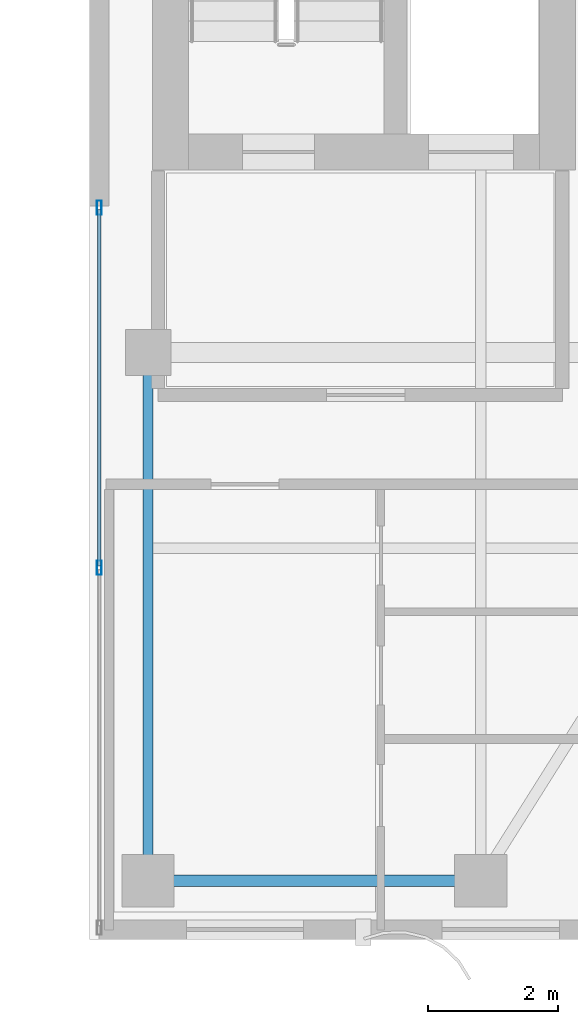
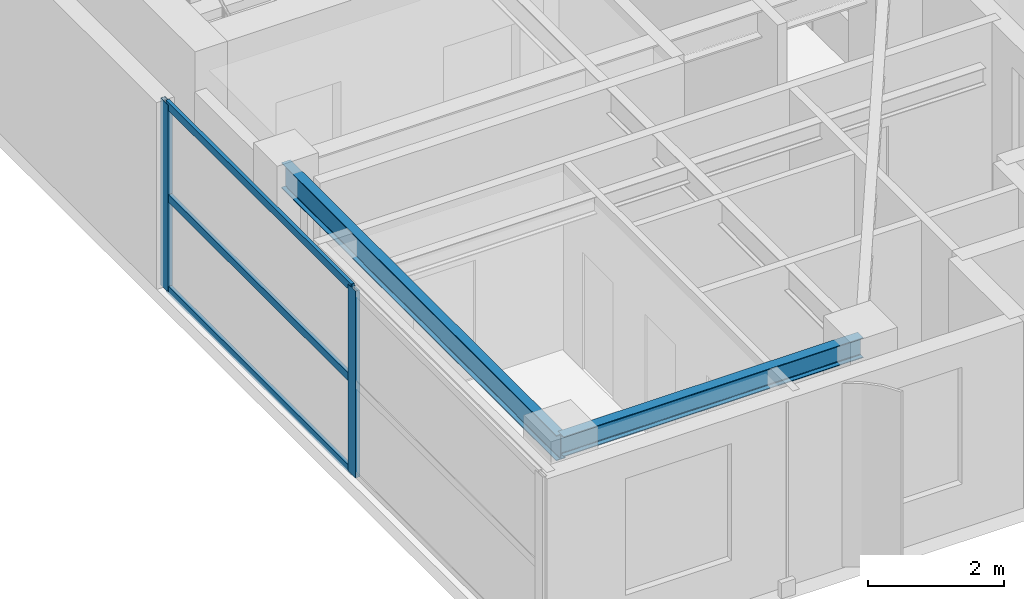
# One storey, part 5 of 24: 5 members, 2 beams, 1 element without a shape of its own.
"""IFC4 building model written with IfcOpenShell, lengths in metres."""

from ifc_helpers import new_model, si_unit, direction, frame, origin, origin_2d, place, context, subcontext, project, spatial, hollow_rectangle, i_section, extrude, source, transform, mapped, material, layer, layer_set, material_profile, profile_set, type_object, element, aggregate, save


model = new_model("IFC4")

# Units and contexts
model_context = context("Model", 3, precision=1e-05, world=origin(), true_north=direction((0.0, 1.0)))
body_context = subcontext(model_context, "Body", "Model", "MODEL_VIEW")
ifc_project = project(units=[si_unit("LENGTHUNIT", "METRE"), si_unit("AREAUNIT", "SQUARE_METRE"), si_unit("VOLUMEUNIT", "CUBIC_METRE"), si_unit("PLANEANGLEUNIT", "RADIAN"), si_unit("MASSUNIT", "GRAM", prefix="KILO")], contexts=[model_context])

# Site, building, storey
site_placement = place(None, origin())
site = spatial("IfcSite", under=ifc_project, at=site_placement, CompositionType="ELEMENT")
building_placement = place(site_placement, origin())
building = spatial("IfcBuilding", under=site, at=building_placement, Name="Khoralis Quay Care Tower", CompositionType="ELEMENT")
storey_placement = place(building_placement, frame((0.0, 0.0, 234.89990234375)))
storey = spatial("IfcBuildingStorey", under=building, at=storey_placement, Name="L61", CompositionType="ELEMENT", Elevation=234.89990234375)

# Beams
ifc_material_1 = material(Name="Steel S355", Category="steel")
ifc_material_profile_1 = material_profile(ifc_material_1, i_section(OverallWidth=0.169921875, OverallDepth=0.360107421875, WebThickness=0.008056640625, FlangeThickness=0.0126953125, FilletRadius=0.01806640625, at=origin_2d()), Name="Steel S355")
ifc_profile_set_1 = profile_set([ifc_material_profile_1], Name="Steel S355")
beam_type_1 = type_object("IfcBeamType", Name="BM-IPE360", PredefinedType="SPANDREL", material=ifc_profile_set_1)
shared_shape_1 = source(origin(), body_context, "Body", "SweptSolid", [
    extrude(i_section(OverallWidth=0.169921875, OverallDepth=0.360107421875, WebThickness=0.008056640625, FlangeThickness=0.0126953125, FilletRadius=0.01806640625, at=origin_2d()), origin(), (0.0, 0.0, 1.0), 5.10009765625),
])
beam_1_placement = place(storey_placement, frame((30.89990234375, 3.89990234375, 3.18017578125), z_axis=(1.0, 0.0, 0.0), x_axis=(0.0, 1.0, 0.0)))
element("IfcBeam", 1, at=beam_1_placement, inside=storey, type_object=beam_type_1, Name="BM-TSP-L61-02", PredefinedType="SPANDREL", context=body_context, shape_type="MappedRepresentation", body=[
    mapped(shared_shape_1, transform((0.0, 0.0, 0.0), scale=1.0)),
])
ifc_material_profile_2 = material_profile(ifc_material_1, i_section(OverallWidth=0.154052734375, OverallDepth=0.458984375, WebThickness=0.009033203125, FlangeThickness=0.015380859375, FilletRadius=0.014892578125, at=origin_2d()), Name="Steel S355")
ifc_profile_set_2 = profile_set([ifc_material_profile_2], Name="Steel S355")
beam_type_2 = type_object("IfcBeamType", Name="BM-W460X68", PredefinedType="BEAM", material=ifc_profile_set_2)
shared_shape_2 = source(origin(), body_context, "Body", "SweptSolid", [
    extrude(i_section(OverallWidth=0.154052734375, OverallDepth=0.458984375, WebThickness=0.009033203125, FlangeThickness=0.015380859375, FilletRadius=0.014892578125, at=origin_2d()), origin(), (0.0, 0.0, 1.0), 8.10009765625),
])
beam_2_placement = place(storey_placement, frame((30.89990234375, 3.89990234375, 3.130615234375), z_axis=(0.0, 1.0, 0.0), x_axis=(-1.0, 0.0, 0.0)))
element("IfcBeam", 2, at=beam_2_placement, inside=storey, type_object=beam_type_2, Name="BM-TGYS-L61-309", PredefinedType="BEAM", context=body_context, shape_type="MappedRepresentation", body=[
    mapped(shared_shape_2, transform((0.0, 0.0, 0.0), scale=1.0)),
])

# Curtain wall, members
ifc_material_2 = material(Name="Pale anodised aluminium", Category="aluminium")
ifc_layer = layer(ifc_material_2, 0.18994140625)
ifc_layer_set = layer_set([ifc_layer], Name="Pale anodised aluminium")
curtain_wall_type = type_object("IfcCurtainWallType", Name="CW-SYS-PORTAL", PredefinedType="NOTDEFINED", material=ifc_layer_set)
curtain_wall_placement = place(storey_placement, origin())
curtain_wall = element("IfcCurtainWall", 3, at=curtain_wall_placement, inside=storey, type_object=curtain_wall_type, Name="L61 Unitised Curtain Wall CW-VP-L61-P2-S", PredefinedType="NOTDEFINED")
ifc_material_profile_3 = material_profile(ifc_material_2, hollow_rectangle(XDim=0.074951171875, YDim=0.219970703125, WallThickness=0.00390625, at=origin_2d()), Name="Pale anodised aluminium")
ifc_profile_set_3 = profile_set([ifc_material_profile_3], Name="Pale anodised aluminium")
member_type_1 = type_object("IfcMemberType", Name="CW-MUL-220", PredefinedType="MULLION", material=ifc_profile_set_3)
shared_shape_3 = source(origin(), body_context, "Body", "SweptSolid", [
    extrude(hollow_rectangle(XDim=0.074951171875, YDim=0.219970703125, WallThickness=0.00390625, at=origin_2d()), origin(), (0.0, 0.0, 1.0), 3.360107421875),
])
member_1_placement = place(storey_placement, frame((30.14990234375, 8.699951171875, 0.0), z_axis=(0.0, 0.0, 1.0), x_axis=(-1.0, 0.0, 0.0)))
member_1 = element("IfcMember", 4, at=member_1_placement, type_object=member_type_1, Name="CW4 mullion 2", PredefinedType="MULLION", context=body_context, shape_type="MappedRepresentation", body=[
    mapped(shared_shape_3, transform((0.0, 0.0, 0.0), scale=1.0)),
])
member_2_placement = place(storey_placement, frame((30.14990234375, 14.219970703125, 0.0), z_axis=(0.0, 0.0, 1.0), x_axis=(-1.0, 0.0, 0.0)))
member_2 = element("IfcMember", 5, at=member_2_placement, type_object=member_type_1, Name="CW4 mullion 3", PredefinedType="MULLION", context=body_context, shape_type="MappedRepresentation", body=[
    mapped(shared_shape_3, transform((0.0, 0.0, 0.0), scale=1.0)),
])
ifc_material_profile_4 = material_profile(ifc_material_2, hollow_rectangle(XDim=0.06005859375, YDim=0.139892578125, WallThickness=0.00390625, at=origin_2d()), Name="Pale anodised aluminium")
ifc_profile_set_4 = profile_set([ifc_material_profile_4], Name="Pale anodised aluminium")
member_type_2 = type_object("IfcMemberType", Name="CW-TRN-140", PredefinedType="USERDEFINED", material=ifc_profile_set_4)
shared_shape_4 = source(origin(), body_context, "Body", "SweptSolid", [
    extrude(hollow_rectangle(XDim=0.06005859375, YDim=0.139892578125, WallThickness=0.00390625, at=origin_2d()), origin(), (0.0, 0.0, 1.0), 5.4599609375),
])
member_3_placement = place(storey_placement, frame((30.14990234375, 8.72998046875, 0.030029296875), z_axis=(0.0, 1.0, 0.0), x_axis=(-1.0, 0.0, 0.0)))
member_3 = element("IfcMember", 6, at=member_3_placement, type_object=member_type_2, Name="CW4 transom 2.1", ObjectType="TRANSOM", PredefinedType="USERDEFINED", context=body_context, shape_type="MappedRepresentation", body=[
    mapped(shared_shape_4, transform((0.0, 0.0, 0.0), scale=1.0)),
])
member_4_placement = place(storey_placement, frame((30.14990234375, 8.72998046875, 1.68017578125), z_axis=(0.0, 1.0, 0.0), x_axis=(-1.0, 0.0, 0.0)))
member_4 = element("IfcMember", 7, at=member_4_placement, type_object=member_type_2, Name="CW4 transom 2.2", ObjectType="TRANSOM", PredefinedType="USERDEFINED", context=body_context, shape_type="MappedRepresentation", body=[
    mapped(shared_shape_4, transform((0.0, 0.0, 0.0), scale=1.0)),
])
member_5_placement = place(storey_placement, frame((30.14990234375, 8.72998046875, 3.330078125), z_axis=(0.0, 1.0, 0.0), x_axis=(-1.0, 0.0, 0.0)))
member_5 = element("IfcMember", 8, at=member_5_placement, type_object=member_type_2, Name="CW4 transom 2.3", ObjectType="TRANSOM", PredefinedType="USERDEFINED", context=body_context, shape_type="MappedRepresentation", body=[
    mapped(shared_shape_4, transform((0.0, 0.0, 0.0), scale=1.0)),
])
aggregate(curtain_wall, [member_1, member_2, member_3, member_4, member_5])

save(model, "model.ifc")
